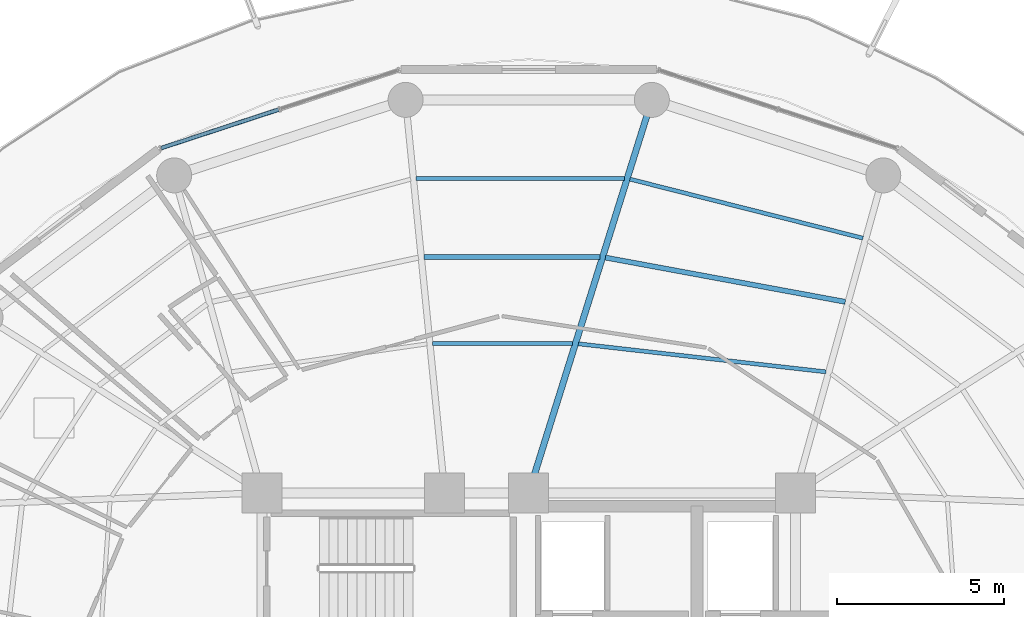
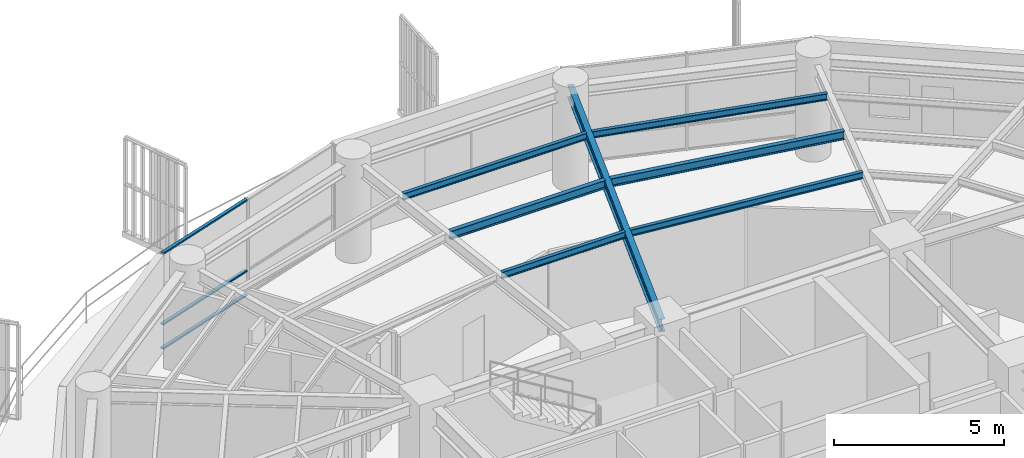
# One storey, part 19 of 31: 7 beams, 3 members, 1 element without a shape of its own.
"""IFC4 building model written with IfcOpenShell, lengths in metres."""

from ifc_helpers import new_model, si_unit, direction, frame, origin, origin_2d, place, context, subcontext, project, spatial, hollow_rectangle, i_section, extrude, material, layer, layer_set, material_profile, profile_set, type_object, element, aggregate, save


model = new_model("IFC4")

# Units and contexts
model_context = context("Model", 3, precision=1e-05, world=origin(), true_north=direction((0.0, 1.0)))
body_context = subcontext(model_context, "Body", "Model", "MODEL_VIEW")
ifc_project = project(units=[si_unit("LENGTHUNIT", "METRE"), si_unit("AREAUNIT", "SQUARE_METRE"), si_unit("VOLUMEUNIT", "CUBIC_METRE"), si_unit("PLANEANGLEUNIT", "RADIAN"), si_unit("MASSUNIT", "GRAM", prefix="KILO")], contexts=[model_context])

# Site, building, storey
site_placement = place(None, origin())
site = spatial("IfcSite", under=ifc_project, at=site_placement, CompositionType="ELEMENT")
building_placement = place(site_placement, origin())
building = spatial("IfcBuilding", under=site, at=building_placement, Name="Kelanora Arch Commons", CompositionType="ELEMENT")
storey_placement = place(building_placement, frame((0.0, 0.0, 196.949951171875)))
storey = spatial("IfcBuildingStorey", under=building, at=storey_placement, Name="L50", CompositionType="ELEMENT", Elevation=196.949951171875)

# Beams
ifc_material_1 = material(Name="Steel S355", Category="steel")
ifc_material_profile_1 = material_profile(ifc_material_1, i_section(OverallWidth=0.14990234375, OverallDepth=0.300048828125, WebThickness=0.007080078125, FlangeThickness=0.0107421875, FilletRadius=0.014892578125, at=origin_2d()), Name="IPE300")
ifc_profile_set_1 = profile_set([ifc_material_profile_1], Name="Steel S355")
beam_type_1 = type_object("IfcBeamType", Name="BM-JST-01", PredefinedType="JOIST", material=ifc_profile_set_1)
beam_1_placement = place(storey_placement, frame((83.50048828125, 70.729736328125, 3.340087890625), z_axis=(-0.983389964671, 0.181505309519, 0.0), x_axis=(-0.181505309519, -0.983389964671, 0.0)))
element("IfcBeam", 1, at=beam_1_placement, inside=storey, type_object=beam_type_1, Name="Secondary Chord Joist BJB-06 L50", PredefinedType="JOIST", context=body_context, shape_type="SweptSolid", body=[
    extrude(i_section(OverallWidth=0.14990234375, OverallDepth=0.300048828125, WebThickness=0.007080078125, FlangeThickness=0.0107421875, FilletRadius=0.014892578125, at=origin_2d()), origin(), (0.0, 0.0, 1.0), 7.3212890625),
])
beam_2_placement = place(storey_placement, frame((76.132080078125, 72.07421875, 3.340087890625), z_axis=(-1.0, 0.0, 0.0), x_axis=(0.0, -1.0, 0.0)))
element("IfcBeam", 2, at=beam_2_placement, inside=storey, type_object=beam_type_1, Name="Secondary Chord Joist BJB-08 L50", PredefinedType="JOIST", context=body_context, shape_type="SweptSolid", body=[
    extrude(i_section(OverallWidth=0.14990234375, OverallDepth=0.300048828125, WebThickness=0.007080078125, FlangeThickness=0.0107421875, FilletRadius=0.014892578125, at=origin_2d()), origin(), (0.0, 0.0, 1.0), 5.272216796875),
])
ifc_material_profile_2 = material_profile(ifc_material_1, i_section(OverallWidth=0.1201171875, OverallDepth=0.239990234375, WebThickness=0.006103515625, FlangeThickness=0.009765625, FilletRadius=0.014892578125, at=origin_2d()), Name="IPE240")
ifc_profile_set_2 = profile_set([ifc_material_profile_2], Name="Steel S355")
beam_type_2 = type_object("IfcBeamType", Name="BM-JST-02", PredefinedType="JOIST", material=ifc_profile_set_2)
beam_3_placement = place(storey_placement, frame((82.918701171875, 68.628662109375, 3.3701171875), z_axis=(-0.993639672263, 0.11260640171, 0.0), x_axis=(-0.11260640171, -0.993639672263, 0.0)))
element("IfcBeam", 3, at=beam_3_placement, inside=storey, type_object=beam_type_2, Name="Secondary Chord Joist BJA-06 L50", PredefinedType="JOIST", context=body_context, shape_type="SweptSolid", body=[
    extrude(i_section(OverallWidth=0.1201171875, OverallDepth=0.239990234375, WebThickness=0.006103515625, FlangeThickness=0.009765625, FilletRadius=0.014892578125, at=origin_2d()), origin(), (0.0, 0.0, 1.0), 7.477783203125),
])
beam_4_placement = place(storey_placement, frame((84.029541015625, 72.639892578125, 3.3701171875), z_axis=(-0.969370989998, 0.245601066263, 0.0), x_axis=(-0.245601066263, -0.969370989998, 0.0)))
element("IfcBeam", 4, at=beam_4_placement, inside=storey, type_object=beam_type_2, Name="Secondary Chord Joist BJC-06 L50", PredefinedType="JOIST", context=body_context, shape_type="SweptSolid", body=[
    extrude(i_section(OverallWidth=0.1201171875, OverallDepth=0.239990234375, WebThickness=0.006103515625, FlangeThickness=0.009765625, FilletRadius=0.014892578125, at=origin_2d()), origin(), (0.0, 0.0, 1.0), 7.2119140625),
])
beam_5_placement = place(storey_placement, frame((75.319091796875, 69.480224609375, 3.3701171875), z_axis=(-1.0, 0.0, 0.0), x_axis=(0.0, -1.0, 0.0)))
element("IfcBeam", 5, at=beam_5_placement, inside=storey, type_object=beam_type_2, Name="Secondary Chord Joist BJA-08 L50", PredefinedType="JOIST", context=body_context, shape_type="SweptSolid", body=[
    extrude(i_section(OverallWidth=0.1201171875, OverallDepth=0.239990234375, WebThickness=0.006103515625, FlangeThickness=0.009765625, FilletRadius=0.014892578125, at=origin_2d()), origin(), (0.0, 0.0, 1.0), 4.20068359375),
])
beam_6_placement = place(storey_placement, frame((76.87109375, 74.43212890625, 3.3701171875), z_axis=(-1.0, 0.0, 0.0), x_axis=(0.0, -1.0, 0.0)))
element("IfcBeam", 6, at=beam_6_placement, inside=storey, type_object=beam_type_2, Name="Secondary Chord Joist BJC-08 L50", PredefinedType="JOIST", context=body_context, shape_type="SweptSolid", body=[
    extrude(i_section(OverallWidth=0.1201171875, OverallDepth=0.239990234375, WebThickness=0.006103515625, FlangeThickness=0.009765625, FilletRadius=0.014892578125, at=origin_2d()), origin(), (0.0, 0.0, 1.0), 6.246337890625),
])
ifc_material_profile_3 = material_profile(ifc_material_1, i_section(OverallWidth=0.18994140625, OverallDepth=0.449951171875, WebThickness=0.009521484375, FlangeThickness=0.0146484375, FilletRadius=0.02099609375, at=origin_2d()), Name="IPE450")
ifc_profile_set_3 = profile_set([ifc_material_profile_3], Name="Steel S355")
beam_type_3 = type_object("IfcBeamType", Name="BM-RAD-Z4", PredefinedType="BEAM", material=ifc_profile_set_3)
beam_7_placement = place(storey_placement, frame((74.0, 65.0, 3.26513671875), z_axis=(0.299080457492, 0.954227897279, 0.0), x_axis=(-0.954227897279, 0.299080457492, 0.0)))
element("IfcBeam", 7, at=beam_7_placement, inside=storey, type_object=beam_type_3, Name="Radial Floor Girder BR-08 L50", PredefinedType="BEAM", context=body_context, shape_type="SweptSolid", body=[
    extrude(i_section(OverallWidth=0.18994140625, OverallDepth=0.449951171875, WebThickness=0.009521484375, FlangeThickness=0.0146484375, FilletRadius=0.02099609375, at=origin_2d()), origin(), (0.0, 0.0, 1.0), 12.35546875),
])

# Curtain wall, members
ifc_material_2 = material(Name="Terracotta ceramic-fritted low-E glass and aluminium", Category="masonry")
ifc_layer = layer(ifc_material_2, 0.175048828125)
ifc_layer_set = layer_set([ifc_layer], Name="Terracotta ceramic-fritted low-E glass and aluminium")
curtain_wall_type = type_object("IfcCurtainWallType", Name="CW-SYS-02", PredefinedType="NOTDEFINED", material=ifc_layer_set)
curtain_wall_placement = place(storey_placement, origin())
curtain_wall = element("IfcCurtainWall", 8, at=curtain_wall_placement, inside=storey, type_object=curtain_wall_type, Name="Unitised Curtain Wall L50-B05", PredefinedType="NOTDEFINED")
ifc_material_3 = material(Name="Powder-coated aluminium terracotta", Category="masonry")
ifc_material_profile_4 = material_profile(ifc_material_3, hollow_rectangle(XDim=0.1201171875, YDim=0.06005859375, WallThickness=0.0048828125, InnerFilletRadius=0.0048828125, OuterFilletRadius=0.010009765625, at=origin_2d()), Name="CWT120x60")
ifc_profile_set_4 = profile_set([ifc_material_profile_4], Name="Powder-coated aluminium terracotta")
member_type = type_object("IfcMemberType", Name="CWT-STD", PredefinedType="USERDEFINED", material=ifc_profile_set_4)
member_1_placement = place(storey_placement, frame((66.493896484375, 76.4990234375, 0.030029296875), z_axis=(-0.950226025222, -0.311561392011, 0.0), x_axis=(0.311561392011, -0.950226025222, 0.0)))
member_1 = element("IfcMember", 9, at=member_1_placement, type_object=member_type, Name="CW-02 transom 2.1", ObjectType="TRANSOM", PredefinedType="USERDEFINED", context=body_context, shape_type="SweptSolid", body=[
    extrude(hollow_rectangle(XDim=0.1201171875, YDim=0.06005859375, WallThickness=0.0048828125, InnerFilletRadius=0.0048828125, OuterFilletRadius=0.010009765625, at=origin_2d()), origin(), (0.0, 0.0, 1.0), 3.707275390625),
])
member_2_placement = place(storey_placement, frame((66.493896484375, 76.4990234375, 0.900146484375), z_axis=(-0.950226025222, -0.311561392011, 0.0), x_axis=(0.311561392011, -0.950226025222, 0.0)))
member_2 = element("IfcMember", 10, at=member_2_placement, type_object=member_type, Name="CW-02 transom 2.2", ObjectType="TRANSOM", PredefinedType="USERDEFINED", context=body_context, shape_type="SweptSolid", body=[
    extrude(hollow_rectangle(XDim=0.1201171875, YDim=0.06005859375, WallThickness=0.0048828125, InnerFilletRadius=0.0048828125, OuterFilletRadius=0.010009765625, at=origin_2d()), origin(), (0.0, 0.0, 1.0), 3.707275390625),
])
member_3_placement = place(storey_placement, frame((66.493896484375, 76.4990234375, 3.445068359375), z_axis=(-0.950226025222, -0.311561392011, 0.0), x_axis=(0.311561392011, -0.950226025222, 0.0)))
member_3 = element("IfcMember", 11, at=member_3_placement, type_object=member_type, Name="CW-02 transom 2.3", ObjectType="TRANSOM", PredefinedType="USERDEFINED", context=body_context, shape_type="SweptSolid", body=[
    extrude(hollow_rectangle(XDim=0.1201171875, YDim=0.06005859375, WallThickness=0.0048828125, InnerFilletRadius=0.0048828125, OuterFilletRadius=0.010009765625, at=origin_2d()), origin(), (0.0, 0.0, 1.0), 3.707275390625),
])
aggregate(curtain_wall, [member_1, member_2, member_3])

save(model, "model.ifc")
